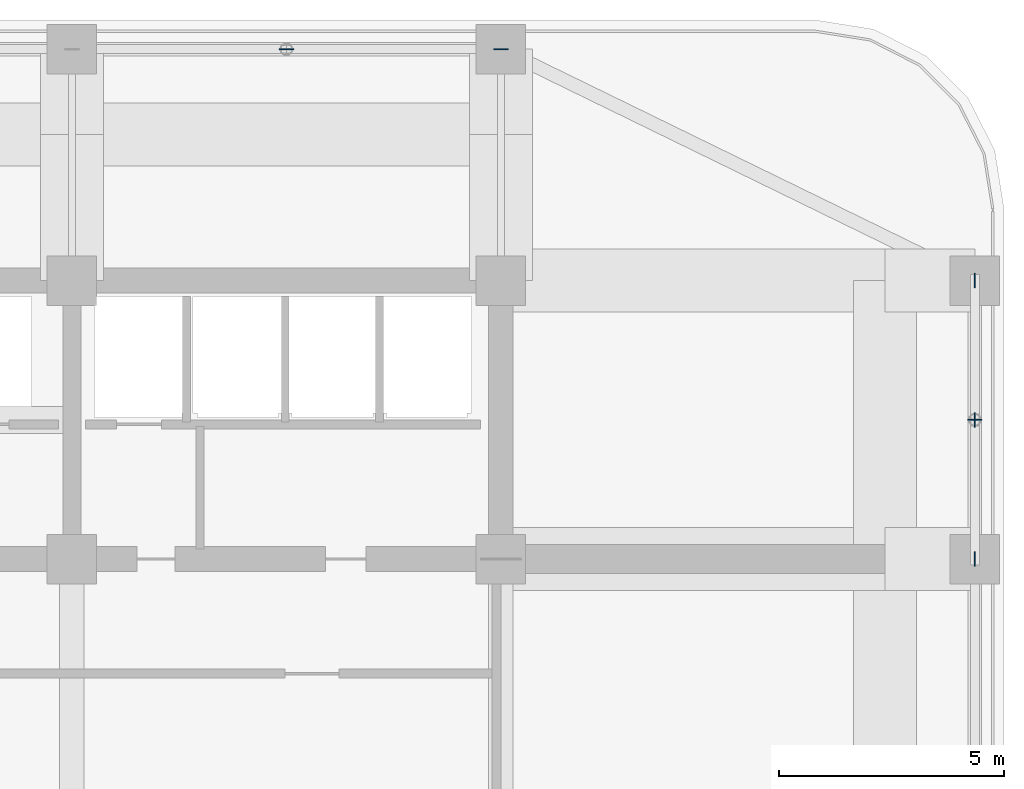
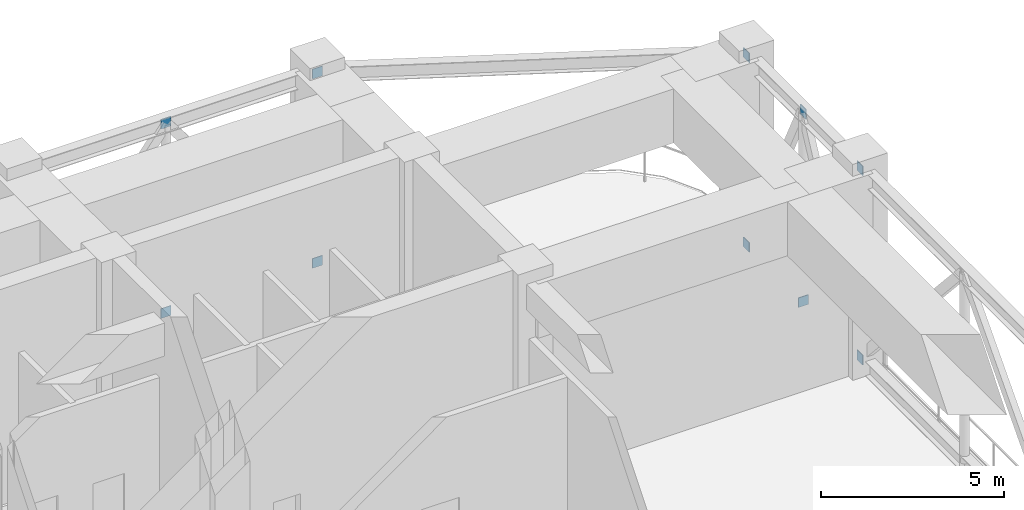
# One storey, part 17 of 20: 10 discrete accessories.
"""IFC4 building model written with IfcOpenShell, lengths in metres."""

from ifc_helpers import new_model, si_unit, direction, frame, origin, origin_2d, place, context, subcontext, project, spatial, rectangle, extrude, material, layer, layer_set, type_object, element, save


model = new_model("IFC4")

# Units and contexts
model_context = context("Model", 3, precision=1e-05, world=origin(), true_north=direction((0.0, 1.0)))
body_context = subcontext(model_context, "Body", "Model", "MODEL_VIEW")
ifc_project = project(units=[si_unit("LENGTHUNIT", "METRE"), si_unit("AREAUNIT", "SQUARE_METRE"), si_unit("VOLUMEUNIT", "CUBIC_METRE"), si_unit("PLANEANGLEUNIT", "RADIAN"), si_unit("MASSUNIT", "GRAM", prefix="KILO")], contexts=[model_context])

# Site, building, storey
site_placement = place(None, origin())
site = spatial("IfcSite", under=ifc_project, at=site_placement, CompositionType="ELEMENT")
building_placement = place(site_placement, origin())
building = spatial("IfcBuilding", under=site, at=building_placement, Name="Svetorya Sky Lyceum", CompositionType="ELEMENT")
storey_placement = place(building_placement, frame((0.0, 0.0, 136.39990234375)))
storey = spatial("IfcBuildingStorey", under=building, at=storey_placement, Name="L34", CompositionType="ELEMENT", Elevation=136.39990234375)

# Discrete accessories
ifc_material = material(Name="Steel S355", Category="steel")
ifc_layer = layer(ifc_material, 0.02392578125)
ifc_layer_set = layer_set([ifc_layer], Name="Steel S355")
discrete_accessory_type = type_object("IfcDiscreteAccessoryType", Name="ACC-GUSSET-24", PredefinedType="BRACKET", material=ifc_layer_set)
for number, where, z_axis, x_axis, name in (
    (1, (52.800048828125, 50.949951171875, 0.0859375), (0.0, 0.0, 1.0), (1.0, 0.0, 0.0), "L34 Brace Node Gusset Plate 89"),
    (2, (52.800048828125, 50.949951171875, 6.39404296875), (0.0, 0.0, 1.0), (1.0, 0.0, 0.0), "L34 Brace Node Gusset Plate 90"),
    (3, (48.02490234375, 50.949951171875, 6.39404296875), (0.0, 0.0, 1.0), (1.0, 0.0, 0.0), "L34 Brace Node Gusset Plate 91"),
    (4, (48.02490234375, 50.949951171875, 0.0859375), (0.0, 0.0, 1.0), (1.0, 0.0, 0.0), "L34 Brace Node Gusset Plate 92"),
):
    element("IfcDiscreteAccessory", number, at=place(storey_placement, frame(where, z_axis=z_axis, x_axis=x_axis)), inside=storey, type_object=discrete_accessory_type, Name=name, PredefinedType="BRACKET", context=body_context, shape_type="SweptSolid", body=[
        extrude(rectangle(XDim=0.320068359375, YDim=0.02392578125, at=origin_2d()), origin(), (0.0, 0.0, 1.0), 0.320068359375),
    ])
for number, where, z_axis, x_axis, name in (
    (5, (63.35009765625, 39.60009765625, 0.0859375), (0.0, 0.0, 1.0), (1.0, 0.0, 0.0), "L34 Brace Node Gusset Plate 121"),
    (6, (63.35009765625, 39.60009765625, 6.39404296875), (0.0, 0.0, 1.0), (1.0, 0.0, 0.0), "L34 Brace Node Gusset Plate 122"),
    (7, (63.35009765625, 45.800048828125, 0.0859375), (0.0, 0.0, 1.0), (1.0, 0.0, 0.0), "L34 Brace Node Gusset Plate 125"),
    (8, (63.35009765625, 45.800048828125, 6.39404296875), (0.0, 0.0, 1.0), (1.0, 0.0, 0.0), "L34 Brace Node Gusset Plate 126"),
    (9, (63.35009765625, 42.699951171875, 6.39404296875), (0.0, 0.0, 1.0), (1.0, 0.0, 0.0), "L34 Brace Node Gusset Plate 127"),
):
    element("IfcDiscreteAccessory", number, at=place(storey_placement, frame(where, z_axis=z_axis, x_axis=x_axis)), inside=storey, type_object=discrete_accessory_type, Name=name, PredefinedType="BRACKET", context=body_context, shape_type="SweptSolid", body=[
        extrude(rectangle(XDim=0.02392578125, YDim=0.320068359375, at=origin_2d()), origin(), (0.0, 0.0, 1.0), 0.320068359375),
    ])
discrete_accessory_placement = place(storey_placement, frame((63.35009765625, 42.699951171875, 0.0859375), z_axis=(0.0, 0.0, 1.0), x_axis=(1.0, 0.0, 0.0)))
element("IfcDiscreteAccessory", 10, at=discrete_accessory_placement, inside=storey, type_object=discrete_accessory_type, Name="L34 Brace Node Gusset Plate 128", PredefinedType="BRACKET", context=body_context, shape_type="SweptSolid", body=[
    extrude(rectangle(XDim=0.320068359375, YDim=0.02392578125, at=origin_2d()), origin(), (0.0, 0.0, 1.0), 0.320068359375),
])

save(model, "model.ifc")
